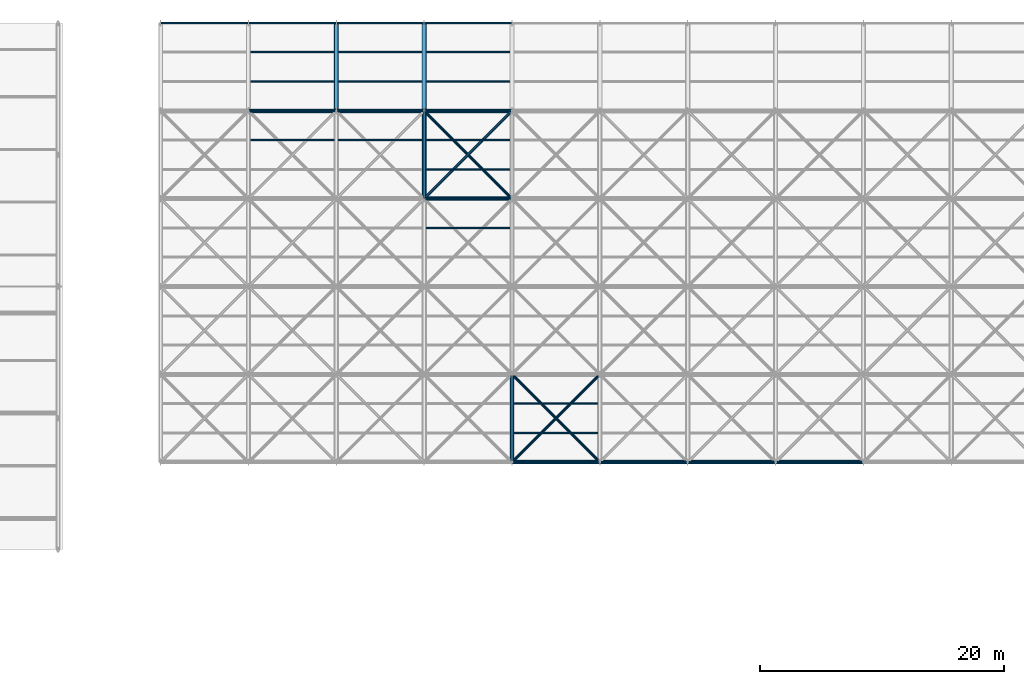
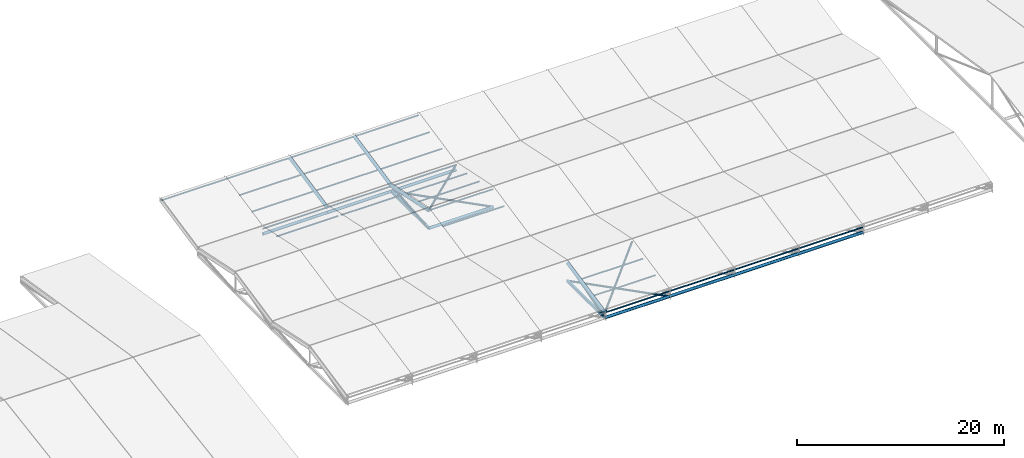
# One storey, part 26 of 72: 39 members, 6 beams.
"""IFC4 building model written with IfcOpenShell, lengths in metres."""

from ifc_helpers import new_model, si_unit, direction, frame, origin, origin_2d, place, context, subcontext, project, spatial, hollow_rectangle, hollow_circle, extrude, material, material_profile, profile_set, type_object, element, save


model = new_model("IFC4")

# Units and contexts
model_context = context("Model", 3, precision=1e-05, world=origin(), true_north=direction((0.0, 1.0)))
body_context = subcontext(model_context, "Body", "Model", "MODEL_VIEW")
ifc_project = project(units=[si_unit("LENGTHUNIT", "METRE"), si_unit("AREAUNIT", "SQUARE_METRE"), si_unit("VOLUMEUNIT", "CUBIC_METRE"), si_unit("PLANEANGLEUNIT", "RADIAN"), si_unit("MASSUNIT", "GRAM", prefix="KILO")], contexts=[model_context])

# Site, building, storey
site_placement = place(None, origin())
site = spatial("IfcSite", under=ifc_project, at=site_placement, CompositionType="ELEMENT")
building_placement = place(site_placement, origin())
building = spatial("IfcBuilding", under=site, at=building_placement, Name="Vaelcorin Mobility Hub", CompositionType="ELEMENT")
storey_placement = place(building_placement, frame((0.0, 0.0, 25.800048828125)))
storey = spatial("IfcBuildingStorey", under=building, at=storey_placement, Name="RF", CompositionType="ELEMENT", Elevation=25.800048828125)

# Members
ifc_material = material(Name="Steel ASTM A500 Grade C", Category="steel")
ifc_material_profile_1 = material_profile(ifc_material, hollow_circle(Radius=0.161865234375, WallThickness=0.0126953125, at=origin_2d()), Name="HSS12.750X0.500")
ifc_profile_set_1 = profile_set([ifc_material_profile_1], Name="Steel ASTM A500 Grade C")
member_type_1 = type_object("IfcMemberType", Name="SF-CHORD-12", PredefinedType="CHORD", material=ifc_profile_set_1)
member_1_placement = place(storey_placement, frame((50.39990234375, 112.800048828125, -2.10009765625), z_axis=(1.0, 0.0, 0.0), x_axis=(0.0, 1.0, 0.0)))
element("IfcMember", 1, at=member_1_placement, inside=storey, type_object=member_type_1, Name="Sports Truss Lower Tie Strut 3-4", PredefinedType="CHORD", context=body_context, shape_type="SweptSolid", body=[
    extrude(hollow_circle(Radius=0.161865234375, WallThickness=0.0126953125, at=origin_2d()), origin(), (0.0, 0.0, 1.0), 7.2001953125),
])
for number, where, z_axis, x_axis, name in (
    (2, (57.60009765625, 112.800048828125, -2.10009765625), (1.0, 0.0, 0.0), (0.0, 1.0, 0.0), "Sports Truss Lower Tie Strut 4-4"),
    (3, (64.800048828125, 105.60009765625, -2.10009765625), (1.0, 0.0, 0.0), (0.0, 1.0, 0.0), "Sports Truss Lower Tie Strut 5-3"),
    (4, (64.800048828125, 112.800048828125, -2.10009765625), (1.0, 0.0, 0.0), (0.0, 1.0, 0.0), "Sports Truss Lower Tie Strut 5-4"),
    (5, (72.0, 84.0, -2.10009765625), (1.0, 0.0, 0.0), (0.0, 1.0, 0.0), "Sports Truss Lower Tie Strut 6-0"),
    (6, (79.199951171875, 84.0, -2.10009765625), (1.0, 0.0, 0.0), (0.0, 1.0, 0.0), "Sports Truss Lower Tie Strut 7-0"),
):
    element("IfcMember", number, at=place(storey_placement, frame(where, z_axis=z_axis, x_axis=x_axis)), inside=storey, type_object=member_type_1, Name=name, PredefinedType="CHORD", context=body_context, shape_type="SweptSolid", body=[
        extrude(hollow_circle(Radius=0.161865234375, WallThickness=0.0126953125, at=origin_2d()), origin(), (0.0, 0.0, 1.0), 7.199951171875),
    ])
member_2_placement = place(storey_placement, frame((86.39990234375, 84.0, -2.10009765625), z_axis=(1.0, 0.0, 0.0), x_axis=(0.0, 1.0, 0.0)))
element("IfcMember", 7, at=member_2_placement, inside=storey, type_object=member_type_1, Name="Sports Truss Lower Tie Strut 8-0", PredefinedType="CHORD", context=body_context, shape_type="SweptSolid", body=[
    extrude(hollow_circle(Radius=0.161865234375, WallThickness=0.0126953125, at=origin_2d()), origin(), (0.0, 0.0, 1.0), 7.2001953125),
])
member_3_placement = place(storey_placement, frame((93.60009765625, 84.0, -2.10009765625), z_axis=(1.0, 0.0, 0.0), x_axis=(0.0, 1.0, 0.0)))
element("IfcMember", 8, at=member_3_placement, inside=storey, type_object=member_type_1, Name="Sports Truss Lower Tie Strut 9-0", PredefinedType="CHORD", context=body_context, shape_type="SweptSolid", body=[
    extrude(hollow_circle(Radius=0.161865234375, WallThickness=0.0126953125, at=origin_2d()), origin(), (0.0, 0.0, 1.0), 7.199951171875),
])
ifc_material_profile_2 = material_profile(ifc_material, hollow_circle(Radius=0.109619140625, WallThickness=0.009521484375, at=origin_2d()), Name="HSS8.625X0.375")
ifc_profile_set_2 = profile_set([ifc_material_profile_2], Name="Steel ASTM A500 Grade C")
member_type_2 = type_object("IfcMemberType", Name="SF-DIAG-8", PredefinedType="BRACE", material=ifc_profile_set_2)
member_4_placement = place(storey_placement, frame((64.800048828125, 105.60009765625, 0.0), z_axis=(0.699556744026, 0.699556744026, -0.145741976715), x_axis=(-0.707106781187, 0.707106781187, 0.0)))
element("IfcMember", 9, at=member_4_placement, inside=storey, type_object=member_type_2, Name="Sports Roof Space-Truss Plan Brace 5-4", PredefinedType="BRACE", context=body_context, shape_type="SweptSolid", body=[
    extrude(hollow_circle(Radius=0.109619140625, WallThickness=0.009521484375, at=origin_2d()), origin(), (0.0, 0.0, 1.0), 10.292236328125),
])
member_5_placement = place(storey_placement, frame((72.0, 105.60009765625, -2.10009765625), z_axis=(-0.707106781187, 0.707106781187, 0.0), x_axis=(-0.707106781187, -0.707106781187, 0.0)))
element("IfcMember", 10, at=member_5_placement, inside=storey, type_object=member_type_2, Name="Sports Truss Lower Plan Brace 5-4", PredefinedType="BRACE", context=body_context, shape_type="SweptSolid", body=[
    extrude(hollow_circle(Radius=0.109619140625, WallThickness=0.009521484375, at=origin_2d()), origin(), (0.0, 0.0, 1.0), 10.182373046875),
])
member_6_placement = place(storey_placement, frame((72.0, 84.0, -1.5), z_axis=(0.699556744026, 0.699556744026, 0.145741976715), x_axis=(-0.707106781187, 0.707106781187, 0.0)))
element("IfcMember", 11, at=member_6_placement, inside=storey, type_object=member_type_2, Name="Sports Roof Space-Truss Plan Brace 6-1", PredefinedType="BRACE", context=body_context, shape_type="SweptSolid", body=[
    extrude(hollow_circle(Radius=0.109619140625, WallThickness=0.009521484375, at=origin_2d()), origin(), (0.0, 0.0, 1.0), 10.292236328125),
])
member_7_placement = place(storey_placement, frame((79.199951171875, 84.0, -2.10009765625), z_axis=(-0.707106781187, 0.707106781187, 0.0), x_axis=(-0.707106781187, -0.707106781187, 0.0)))
element("IfcMember", 12, at=member_7_placement, inside=storey, type_object=member_type_2, Name="Sports Truss Lower Plan Brace 6-1", PredefinedType="BRACE", context=body_context, shape_type="SweptSolid", body=[
    extrude(hollow_circle(Radius=0.109619140625, WallThickness=0.009521484375, at=origin_2d()), origin(), (0.0, 0.0, 1.0), 10.182373046875),
])
ifc_material_profile_3 = material_profile(ifc_material, hollow_circle(Radius=0.084228515625, WallThickness=0.0078125, at=origin_2d()), Name="HSS6.625X0.312")
ifc_profile_set_3 = profile_set([ifc_material_profile_3], Name="Steel ASTM A500 Grade C")
member_type_3 = type_object("IfcMemberType", Name="SF-PURL-6", PredefinedType="PURLIN", material=ifc_profile_set_3)
member_8_placement = place(storey_placement, frame((43.199951171875, 120.0, 0.0), z_axis=(1.0, 0.0, 0.0), x_axis=(0.0, 1.0, 0.0)))
element("IfcMember", 13, at=member_8_placement, inside=storey, type_object=member_type_3, Name="Sports Pavilion Roof Purlin 2-5", PredefinedType="PURLIN", context=body_context, shape_type="SweptSolid", body=[
    extrude(hollow_circle(Radius=0.084228515625, WallThickness=0.0078125, at=origin_2d()), origin(), (0.0, 0.0, 1.0), 7.199951171875),
])
for number, where, z_axis, x_axis, name in (
    (14, (50.39990234375, 112.800048828125, -1.5), (1.0, 0.0, 0.0), (0.0, 1.0, 0.0), "Sports Pavilion Roof Purlin 3-4"),
    (15, (50.39990234375, 120.0, 0.0), (1.0, 0.0, 0.0), (0.0, 1.0, 0.0), "Sports Pavilion Roof Purlin 3-5"),
):
    element("IfcMember", number, at=place(storey_placement, frame(where, z_axis=z_axis, x_axis=x_axis)), inside=storey, type_object=member_type_3, Name=name, PredefinedType="PURLIN", context=body_context, shape_type="SweptSolid", body=[
        extrude(hollow_circle(Radius=0.084228515625, WallThickness=0.0078125, at=origin_2d()), origin(), (0.0, 0.0, 1.0), 7.2001953125),
    ])
for number, where, z_axis, x_axis, name in (
    (16, (50.56005859375, 110.39990234375, -1.0), (1.0, 0.0, 0.0), (0.0, 1.0, 0.0), "Sports Roof Secondary Purlin 3-4-2"),
    (17, (50.56005859375, 115.199951171875, -1.0), (1.0, 0.0, 0.0), (0.0, 1.0, 0.0), "Sports Roof Secondary Purlin 3-5-1"),
    (18, (50.56005859375, 117.60009765625, -0.5), (1.0, 0.0, 0.0), (0.0, 1.0, 0.0), "Sports Roof Secondary Purlin 3-5-2"),
):
    element("IfcMember", number, at=place(storey_placement, frame(where, z_axis=z_axis, x_axis=x_axis)), inside=storey, type_object=member_type_3, Name=name, PredefinedType="PURLIN", context=body_context, shape_type="SweptSolid", body=[
        extrude(hollow_circle(Radius=0.084228515625, WallThickness=0.0078125, at=origin_2d()), origin(), (0.0, 0.0, 1.0), 6.8798828125),
    ])
for number, where, z_axis, x_axis, name in (
    (19, (57.60009765625, 112.800048828125, -1.5), (1.0, 0.0, 0.0), (0.0, 1.0, 0.0), "Sports Pavilion Roof Purlin 4-4"),
    (20, (57.60009765625, 120.0, 0.0), (1.0, 0.0, 0.0), (0.0, 1.0, 0.0), "Sports Pavilion Roof Purlin 4-5"),
):
    element("IfcMember", number, at=place(storey_placement, frame(where, z_axis=z_axis, x_axis=x_axis)), inside=storey, type_object=member_type_3, Name=name, PredefinedType="PURLIN", context=body_context, shape_type="SweptSolid", body=[
        extrude(hollow_circle(Radius=0.084228515625, WallThickness=0.0078125, at=origin_2d()), origin(), (0.0, 0.0, 1.0), 7.199951171875),
    ])
for number, where, z_axis, x_axis, name in (
    (21, (57.760009765625, 110.39990234375, -1.0), (1.0, 0.0, 0.0), (0.0, 1.0, 0.0), "Sports Roof Secondary Purlin 4-4-2"),
    (22, (57.760009765625, 115.199951171875, -1.0), (1.0, 0.0, 0.0), (0.0, 1.0, 0.0), "Sports Roof Secondary Purlin 4-5-1"),
    (23, (57.760009765625, 117.60009765625, -0.5), (1.0, 0.0, 0.0), (0.0, 1.0, 0.0), "Sports Roof Secondary Purlin 4-5-2"),
):
    element("IfcMember", number, at=place(storey_placement, frame(where, z_axis=z_axis, x_axis=x_axis)), inside=storey, type_object=member_type_3, Name=name, PredefinedType="PURLIN", context=body_context, shape_type="SweptSolid", body=[
        extrude(hollow_circle(Radius=0.084228515625, WallThickness=0.0078125, at=origin_2d()), origin(), (0.0, 0.0, 1.0), 6.8798828125),
    ])
for number, where, z_axis, x_axis, name in (
    (24, (64.800048828125, 105.60009765625, 0.0), (1.0, 0.0, 0.0), (0.0, 1.0, 0.0), "Sports Pavilion Roof Purlin 5-3"),
    (25, (64.800048828125, 112.800048828125, -1.5), (1.0, 0.0, 0.0), (0.0, 1.0, 0.0), "Sports Pavilion Roof Purlin 5-4"),
    (26, (64.800048828125, 120.0, 0.0), (1.0, 0.0, 0.0), (0.0, 1.0, 0.0), "Sports Pavilion Roof Purlin 5-5"),
):
    element("IfcMember", number, at=place(storey_placement, frame(where, z_axis=z_axis, x_axis=x_axis)), inside=storey, type_object=member_type_3, Name=name, PredefinedType="PURLIN", context=body_context, shape_type="SweptSolid", body=[
        extrude(hollow_circle(Radius=0.084228515625, WallThickness=0.0078125, at=origin_2d()), origin(), (0.0, 0.0, 1.0), 7.199951171875),
    ])
for number, where, z_axis, x_axis, name in (
    (27, (64.9599609375, 103.199951171875, -0.5), (1.0, 0.0, 0.0), (0.0, 1.0, 0.0), "Sports Roof Secondary Purlin 5-3-2"),
    (28, (64.9599609375, 108.0, -0.5), (1.0, 0.0, 0.0), (0.0, 1.0, 0.0), "Sports Roof Secondary Purlin 5-4-1"),
    (29, (64.9599609375, 110.39990234375, -1.0), (1.0, 0.0, 0.0), (0.0, 1.0, 0.0), "Sports Roof Secondary Purlin 5-4-2"),
    (30, (64.9599609375, 115.199951171875, -1.0), (1.0, 0.0, 0.0), (0.0, 1.0, 0.0), "Sports Roof Secondary Purlin 5-5-1"),
    (31, (64.9599609375, 117.60009765625, -0.5), (1.0, 0.0, 0.0), (0.0, 1.0, 0.0), "Sports Roof Secondary Purlin 5-5-2"),
):
    element("IfcMember", number, at=place(storey_placement, frame(where, z_axis=z_axis, x_axis=x_axis)), inside=storey, type_object=member_type_3, Name=name, PredefinedType="PURLIN", context=body_context, shape_type="SweptSolid", body=[
        extrude(hollow_circle(Radius=0.084228515625, WallThickness=0.0078125, at=origin_2d()), origin(), (0.0, 0.0, 1.0), 6.880126953125),
    ])
member_9_placement = place(storey_placement, frame((72.0, 84.0, -1.5), z_axis=(1.0, 0.0, 0.0), x_axis=(0.0, 1.0, 0.0)))
element("IfcMember", 32, at=member_9_placement, inside=storey, type_object=member_type_3, Name="Sports Pavilion Roof Purlin 6-0", PredefinedType="PURLIN", context=body_context, shape_type="SweptSolid", body=[
    extrude(hollow_circle(Radius=0.084228515625, WallThickness=0.0078125, at=origin_2d()), origin(), (0.0, 0.0, 1.0), 7.199951171875),
])
for number, where, z_axis, x_axis, name in (
    (33, (72.159912109375, 86.39990234375, -1.0), (1.0, 0.0, 0.0), (0.0, 1.0, 0.0), "Sports Roof Secondary Purlin 6-1-1"),
    (34, (72.159912109375, 88.800048828125, -0.5), (1.0, 0.0, 0.0), (0.0, 1.0, 0.0), "Sports Roof Secondary Purlin 6-1-2"),
):
    element("IfcMember", number, at=place(storey_placement, frame(where, z_axis=z_axis, x_axis=x_axis)), inside=storey, type_object=member_type_3, Name=name, PredefinedType="PURLIN", context=body_context, shape_type="SweptSolid", body=[
        extrude(hollow_circle(Radius=0.084228515625, WallThickness=0.0078125, at=origin_2d()), origin(), (0.0, 0.0, 1.0), 6.880126953125),
    ])
member_10_placement = place(storey_placement, frame((79.199951171875, 84.0, -1.5), z_axis=(1.0, 0.0, 0.0), x_axis=(0.0, 1.0, 0.0)))
element("IfcMember", 35, at=member_10_placement, inside=storey, type_object=member_type_3, Name="Sports Pavilion Roof Purlin 7-0", PredefinedType="PURLIN", context=body_context, shape_type="SweptSolid", body=[
    extrude(hollow_circle(Radius=0.084228515625, WallThickness=0.0078125, at=origin_2d()), origin(), (0.0, 0.0, 1.0), 7.199951171875),
])
member_11_placement = place(storey_placement, frame((86.39990234375, 84.0, -1.5), z_axis=(1.0, 0.0, 0.0), x_axis=(0.0, 1.0, 0.0)))
element("IfcMember", 36, at=member_11_placement, inside=storey, type_object=member_type_3, Name="Sports Pavilion Roof Purlin 8-0", PredefinedType="PURLIN", context=body_context, shape_type="SweptSolid", body=[
    extrude(hollow_circle(Radius=0.084228515625, WallThickness=0.0078125, at=origin_2d()), origin(), (0.0, 0.0, 1.0), 7.2001953125),
])
member_12_placement = place(storey_placement, frame((93.60009765625, 84.0, -1.5), z_axis=(1.0, 0.0, 0.0), x_axis=(0.0, 1.0, 0.0)))
element("IfcMember", 37, at=member_12_placement, inside=storey, type_object=member_type_3, Name="Sports Pavilion Roof Purlin 9-0", PredefinedType="PURLIN", context=body_context, shape_type="SweptSolid", body=[
    extrude(hollow_circle(Radius=0.084228515625, WallThickness=0.0078125, at=origin_2d()), origin(), (0.0, 0.0, 1.0), 7.199951171875),
])

# Beams
ifc_material_profile_4 = material_profile(ifc_material, hollow_circle(Radius=0.177734375, WallThickness=0.0126953125, at=origin_2d()), Name="HSS14.000X0.500")
ifc_profile_set_4 = profile_set([ifc_material_profile_4], Name="Steel ASTM A500 Grade C")
beam_type_1 = type_object("IfcBeamType", Name="TR-CHORD-14", PredefinedType="BEAM", material=ifc_profile_set_4)
for number, where, z_axis, x_axis, name in (
    (38, (57.60009765625, 112.800048828125, -1.5), (0.0, 0.978980143565, 0.203955579738), (-1.0, 0.0, 0.0), "Sports Pavilion Roof Truss Upper Chord 3-5"),
    (39, (64.800048828125, 105.60009765625, 0.0), (0.0, 0.978980143565, -0.203955579738), (-1.0, 0.0, 0.0), "Sports Pavilion Roof Truss Upper Chord 4-4"),
    (40, (64.800048828125, 112.800048828125, -1.5), (0.0, 0.978980143565, 0.203955579738), (-1.0, 0.0, 0.0), "Sports Pavilion Roof Truss Upper Chord 4-5"),
    (41, (72.0, 84.0, -1.5), (0.0, 0.978980143565, 0.203955579738), (-1.0, 0.0, 0.0), "Sports Pavilion Roof Truss Upper Chord 5-1"),
):
    element("IfcBeam", number, at=place(storey_placement, frame(where, z_axis=z_axis, x_axis=x_axis)), inside=storey, type_object=beam_type_1, Name=name, PredefinedType="BEAM", context=body_context, shape_type="SweptSolid", body=[
        extrude(hollow_circle(Radius=0.177734375, WallThickness=0.0126953125, at=origin_2d()), origin(), (0.0, 0.0, 1.0), 7.3544921875),
    ])
ifc_material_profile_5 = material_profile(ifc_material, hollow_rectangle(XDim=0.203125, YDim=0.3046875, WallThickness=0.01171875, at=origin_2d()), Name="HSS12X8X0.500")
ifc_profile_set_5 = profile_set([ifc_material_profile_5], Name="Steel ASTM A500 Grade C")
beam_type_2 = type_object("IfcBeamType", Name="TR-CHORD-RHS12", PredefinedType="BEAM", material=ifc_profile_set_5)
for number, where, z_axis, x_axis, name in (
    (42, (64.800048828125, 105.60009765625, -2.10009765625), (0.0, 1.0, 0.0), (-1.0, 0.0, 0.0), "Sports Pavilion Roof Truss Bottom Chord 4-4"),
    (43, (72.0, 84.0, -2.10009765625), (0.0, 1.0, 0.0), (-1.0, 0.0, 0.0), "Sports Pavilion Roof Truss Bottom Chord 5-1"),
):
    element("IfcBeam", number, at=place(storey_placement, frame(where, z_axis=z_axis, x_axis=x_axis)), inside=storey, type_object=beam_type_2, Name=name, PredefinedType="BEAM", context=body_context, shape_type="SweptSolid", body=[
        extrude(hollow_rectangle(XDim=0.203125, YDim=0.3046875, WallThickness=0.01171875, at=origin_2d()), origin(), (0.0, 0.0, 1.0), 7.199951171875),
    ])

# Members
ifc_material_profile_6 = material_profile(ifc_material, hollow_circle(Radius=0.109619140625, WallThickness=0.009521484375, at=origin_2d()), Name="HSS8.625X0.375")
ifc_profile_set_6 = profile_set([ifc_material_profile_6], Name="Steel ASTM A500 Grade C")
member_type_4 = type_object("IfcMemberType", Name="TR-WEB-8", PredefinedType="BRACE", material=ifc_profile_set_6)
member_13_placement = place(storey_placement, frame((64.800048828125, 105.60009765625, -2.10009765625), z_axis=(0.0, 0.996544592923, 0.083059462528), x_axis=(-1.0, 0.0, 0.0)))
element("IfcMember", 44, at=member_13_placement, inside=storey, type_object=member_type_4, Name="Sports Pavilion Roof Truss Diagonal 4-4", PredefinedType="BRACE", context=body_context, shape_type="SweptSolid", body=[
    extrude(hollow_circle(Radius=0.109619140625, WallThickness=0.009521484375, at=origin_2d()), origin(), (0.0, 0.0, 1.0), 7.224853515625),
])
member_14_placement = place(storey_placement, frame((72.0, 84.0, -2.10009765625), z_axis=(0.0, 0.959995989474, 0.280013750007), x_axis=(-1.0, 0.0, 0.0)))
element("IfcMember", 45, at=member_14_placement, inside=storey, type_object=member_type_4, Name="Sports Pavilion Roof Truss Diagonal 5-1", PredefinedType="BRACE", context=body_context, shape_type="SweptSolid", body=[
    extrude(hollow_circle(Radius=0.109619140625, WallThickness=0.009521484375, at=origin_2d()), origin(), (0.0, 0.0, 1.0), 7.5),
])

save(model, "model.ifc")
